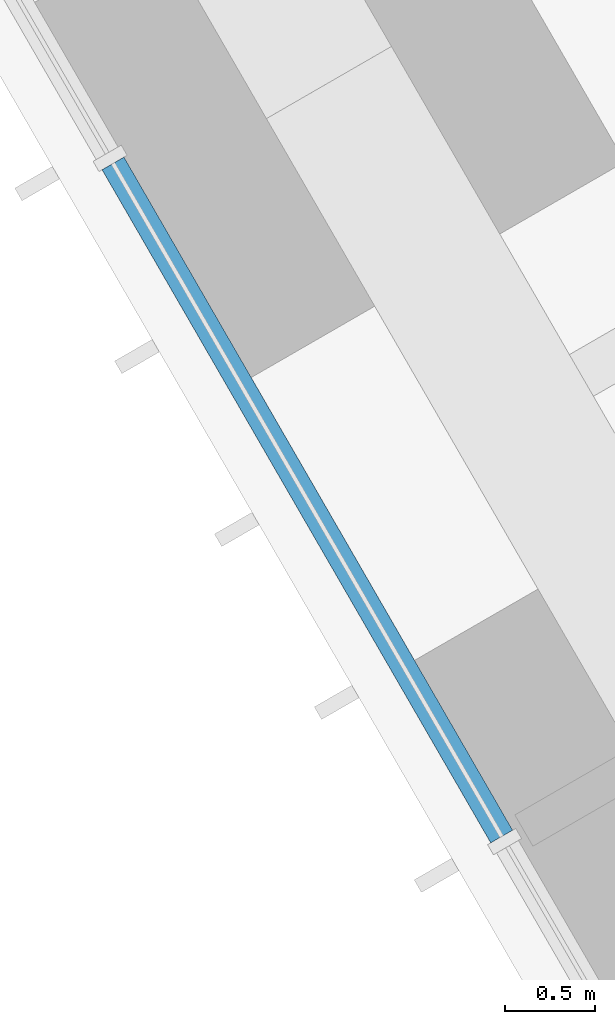
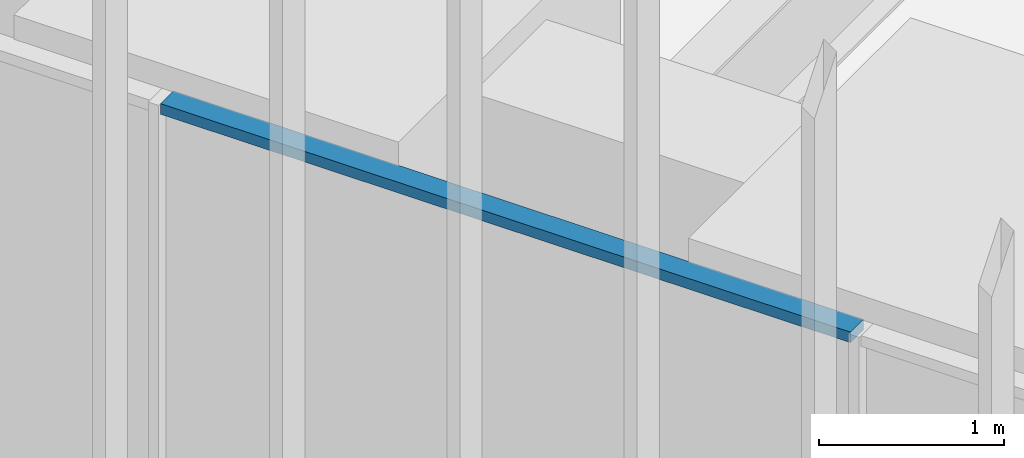
# One storey, part 42 of 256: 1 member, 1 element without a shape of its own.
"""IFC4 building model written with IfcOpenShell, lengths in metres."""

from ifc_helpers import new_model, si_unit, direction, frame, origin, origin_2d, place, context, subcontext, project, spatial, rectangle, extrude, material, material_profile, profile_set, type_object, element, aggregate, save


model = new_model("IFC4")

# Units and contexts
model_context = context("Model", 3, precision=1e-05, world=origin(), true_north=direction((0.0, 1.0)))
body_context = subcontext(model_context, "Body", "Model", "MODEL_VIEW")
ifc_project = project(units=[si_unit("LENGTHUNIT", "METRE"), si_unit("AREAUNIT", "SQUARE_METRE"), si_unit("VOLUMEUNIT", "CUBIC_METRE"), si_unit("PLANEANGLEUNIT", "RADIAN"), si_unit("MASSUNIT", "GRAM", prefix="KILO")], contexts=[model_context])

# Site, building, storey
site_placement = place(None, origin())
site = spatial("IfcSite", under=ifc_project, at=site_placement, CompositionType="ELEMENT")
building_placement = place(site_placement, origin())
building = spatial("IfcBuilding", under=site, at=building_placement, Name="Sandreach Pilgrim Tower", CompositionType="ELEMENT")
storey_placement = place(building_placement, frame((0.0, 0.0, 23.0)))
storey = spatial("IfcBuildingStorey", under=building, at=storey_placement, Name="L04", CompositionType="ELEMENT", Elevation=23.0)

# Curtain wall, member
ifc_material_1 = material(Name="Aluminium framed curtain wall", Category="aluminium")
curtain_wall_type = type_object("IfcCurtainWallType", Name="Hostel tower curtain wall", PredefinedType="NOTDEFINED", material=ifc_material_1)
curtain_wall_placement = place(storey_placement, origin())
curtain_wall = element("IfcCurtainWall", 1, at=curtain_wall_placement, inside=storey, type_object=curtain_wall_type, Name="CW-1 L04 SW", PredefinedType="NOTDEFINED")
ifc_material_2 = material(Name="Aluminium extrusion", Category="aluminium")
ifc_material_profile = material_profile(ifc_material_2, rectangle(XDim=0.139892578125, YDim=0.070068359375, at=origin_2d()), Name="CW-1T 140X70")
ifc_profile_set = profile_set([ifc_material_profile], Name="Aluminium extrusion")
member_type = type_object("IfcMemberType", Name="CW-1 transom", PredefinedType="USERDEFINED", material=ifc_profile_set)
member_placement = place(storey_placement, frame((-21.849365234375, -10.05322265625, 3.60498046875), z_axis=(-0.500016891966, 0.866015650984, 0.0), x_axis=(-0.866015650984, -0.500016891966, 0.0)))
member = element("IfcMember", 2, at=member_placement, type_object=member_type, Name="CW-1 head transom 6", ObjectType="TRANSOM", PredefinedType="USERDEFINED", context=body_context, shape_type="SweptSolid", body=[
    extrude(rectangle(XDim=0.139892578125, YDim=0.070068359375, at=origin_2d()), origin(), (0.0, 0.0, 1.0), 4.306396484375),
])
aggregate(curtain_wall, [member])

save(model, "model.ifc")
